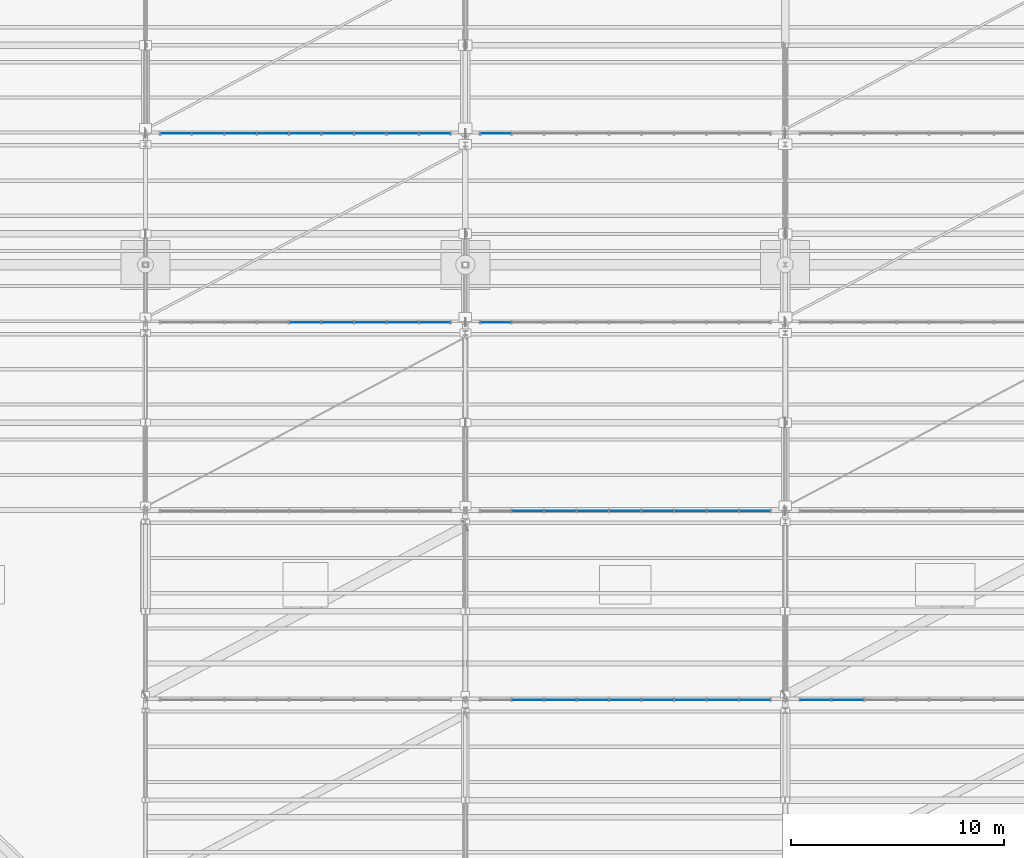
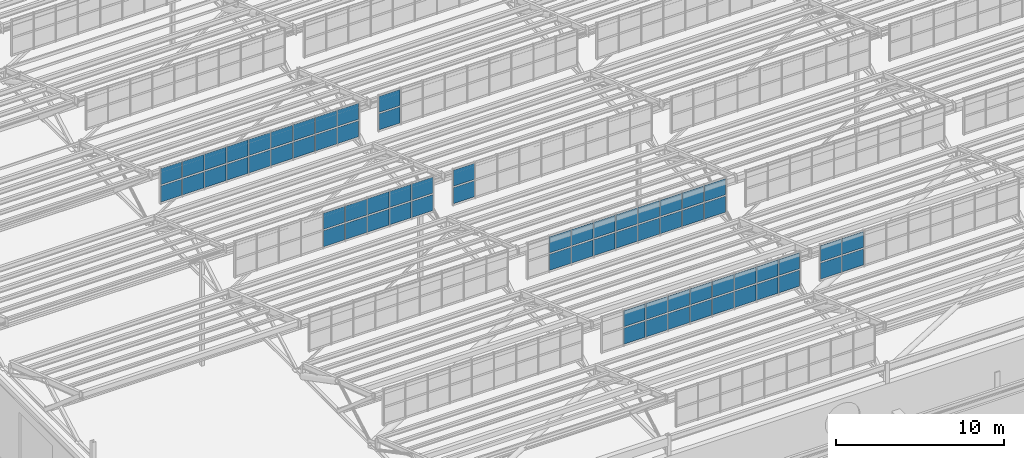
# One storey, part 165 of 285: 68 plates, 7 elements without a shape of their own.
"""IFC4 building model written with IfcOpenShell, lengths in metres."""

from ifc_helpers import new_model, si_unit, direction, frame, origin, origin_2d, place, context, subcontext, project, spatial, rectangle, extrude, material, layer, layer_set, type_object, element, aggregate, save


model = new_model("IFC4")

# Units and contexts
model_context = context("Model", 3, precision=1e-05, world=origin(), true_north=direction((0.0, 1.0)))
body_context = subcontext(model_context, "Body", "Model", "MODEL_VIEW")
ifc_project = project(units=[si_unit("LENGTHUNIT", "METRE"), si_unit("AREAUNIT", "SQUARE_METRE"), si_unit("VOLUMEUNIT", "CUBIC_METRE"), si_unit("PLANEANGLEUNIT", "RADIAN"), si_unit("MASSUNIT", "GRAM", prefix="KILO")], contexts=[model_context])

# Site, building, storey
site_placement = place(None, origin())
site = spatial("IfcSite", under=ifc_project, at=site_placement, CompositionType="ELEMENT")
building_placement = place(site_placement, origin())
building = spatial("IfcBuilding", under=site, at=building_placement, Name="Solanera Park Tramway Depot", CompositionType="ELEMENT")
storey_placement = place(building_placement, origin())
storey = spatial("IfcBuildingStorey", under=building, at=storey_placement, Name="L00", CompositionType="ELEMENT", Elevation=0.0)

# Curtain wall, plates
ifc_material_1 = material(Name="Bronze-anodised thermally broken aluminium curtain wall", Category="aluminium")
curtain_wall_type = type_object("IfcCurtainWallType", Name="Sawtooth Clerestory Monitor Curtain Wall", PredefinedType="NOTDEFINED", material=ifc_material_1)
curtain_wall_1_placement = place(storey_placement, origin())
curtain_wall_1 = element("IfcCurtainWall", 1, at=curtain_wall_1_placement, inside=storey, type_object=curtain_wall_type, Name="L00 Sawtooth Clerestory Monitor Curtain Wall #005", PredefinedType="NOTDEFINED")
ifc_material_2 = material(Name="Low-E laminated solar-control double glazing", Category="glass")
ifc_layer = layer(ifc_material_2, 0.028076171875)
ifc_layer_set = layer_set([ifc_layer], Name="Low-E laminated solar-control double glazing")
plate_type = type_object("IfcPlateType", Name="Curtain Wall Double Glazing Panel 28", PredefinedType="CURTAIN_PANEL", material=ifc_layer_set)
plate_1_placement = place(storey_placement, frame((32.933349609375, 64.60009765625, 7.862060546875), z_axis=(0.0, 0.0, 1.0), x_axis=(1.0, 0.0, 0.0)))
plate_1 = element("IfcPlate", 2, at=plate_1_placement, type_object=plate_type, Name="CW-L00-005 Glazing Panel R1.C2", PredefinedType="CURTAIN_PANEL", context=body_context, shape_type="SweptSolid", body=[
    extrude(rectangle(XDim=1.47021484375, YDim=0.028076171875, at=origin_2d()), origin(), (0.0, 0.0, 1.0), 1.16650390625),
])
plate_2_placement = place(storey_placement, frame((34.45556640625, 64.60009765625, 7.862060546875), z_axis=(0.0, 0.0, 1.0), x_axis=(1.0, 0.0, 0.0)))
plate_2 = element("IfcPlate", 3, at=plate_2_placement, type_object=plate_type, Name="CW-L00-005 Glazing Panel R1.C3", PredefinedType="CURTAIN_PANEL", context=body_context, shape_type="SweptSolid", body=[
    extrude(rectangle(XDim=1.47021484375, YDim=0.028076171875, at=origin_2d()), origin(), (0.0, 0.0, 1.0), 1.16650390625),
])
plate_3_placement = place(storey_placement, frame((35.977783203125, 64.60009765625, 7.862060546875), z_axis=(0.0, 0.0, 1.0), x_axis=(1.0, 0.0, 0.0)))
plate_3 = element("IfcPlate", 4, at=plate_3_placement, type_object=plate_type, Name="CW-L00-005 Glazing Panel R1.C4", PredefinedType="CURTAIN_PANEL", context=body_context, shape_type="SweptSolid", body=[
    extrude(rectangle(XDim=1.47021484375, YDim=0.028076171875, at=origin_2d()), origin(), (0.0, 0.0, 1.0), 1.16650390625),
])
plate_4_placement = place(storey_placement, frame((37.5, 64.60009765625, 7.862060546875), z_axis=(0.0, 0.0, 1.0), x_axis=(1.0, 0.0, 0.0)))
plate_4 = element("IfcPlate", 5, at=plate_4_placement, type_object=plate_type, Name="CW-L00-005 Glazing Panel R1.C5", PredefinedType="CURTAIN_PANEL", context=body_context, shape_type="SweptSolid", body=[
    extrude(rectangle(XDim=1.47021484375, YDim=0.028076171875, at=origin_2d()), origin(), (0.0, 0.0, 1.0), 1.16650390625),
])
plate_5_placement = place(storey_placement, frame((39.022216796875, 64.60009765625, 7.862060546875), z_axis=(0.0, 0.0, 1.0), x_axis=(1.0, 0.0, 0.0)))
plate_5 = element("IfcPlate", 6, at=plate_5_placement, type_object=plate_type, Name="CW-L00-005 Glazing Panel R1.C6", PredefinedType="CURTAIN_PANEL", context=body_context, shape_type="SweptSolid", body=[
    extrude(rectangle(XDim=1.47021484375, YDim=0.028076171875, at=origin_2d()), origin(), (0.0, 0.0, 1.0), 1.16650390625),
])
plate_6_placement = place(storey_placement, frame((40.54443359375, 64.60009765625, 7.862060546875), z_axis=(0.0, 0.0, 1.0), x_axis=(1.0, 0.0, 0.0)))
plate_6 = element("IfcPlate", 7, at=plate_6_placement, type_object=plate_type, Name="CW-L00-005 Glazing Panel R1.C7", PredefinedType="CURTAIN_PANEL", context=body_context, shape_type="SweptSolid", body=[
    extrude(rectangle(XDim=1.47021484375, YDim=0.028076171875, at=origin_2d()), origin(), (0.0, 0.0, 1.0), 1.16650390625),
])
plate_7_placement = place(storey_placement, frame((42.066650390625, 64.60009765625, 7.862060546875), z_axis=(0.0, 0.0, 1.0), x_axis=(1.0, 0.0, 0.0)))
plate_7 = element("IfcPlate", 8, at=plate_7_placement, type_object=plate_type, Name="CW-L00-005 Glazing Panel R1.C8", PredefinedType="CURTAIN_PANEL", context=body_context, shape_type="SweptSolid", body=[
    extrude(rectangle(XDim=1.47021484375, YDim=0.028076171875, at=origin_2d()), origin(), (0.0, 0.0, 1.0), 1.16650390625),
])
plate_8_placement = place(storey_placement, frame((43.572509765625, 64.60009765625, 7.862060546875), z_axis=(0.0, 0.0, 1.0), x_axis=(1.0, 0.0, 0.0)))
plate_8 = element("IfcPlate", 9, at=plate_8_placement, type_object=plate_type, Name="CW-L00-005 Glazing Panel R1.C9", PredefinedType="CURTAIN_PANEL", context=body_context, shape_type="SweptSolid", body=[
    extrude(rectangle(XDim=1.437744140625, YDim=0.028076171875, at=origin_2d()), origin(), (0.0, 0.0, 1.0), 1.16650390625),
])
plate_9_placement = place(storey_placement, frame((32.933349609375, 64.60009765625, 9.132568359375), z_axis=(0.0, 0.0, 1.0), x_axis=(1.0, 0.0, 0.0)))
plate_9 = element("IfcPlate", 10, at=plate_9_placement, type_object=plate_type, Name="CW-L00-005 Glazing Panel R2.C2", PredefinedType="CURTAIN_PANEL", context=body_context, shape_type="SweptSolid", body=[
    extrude(rectangle(XDim=1.47021484375, YDim=0.028076171875, at=origin_2d()), origin(), (0.0, 0.0, 1.0), 1.16650390625),
])
plate_10_placement = place(storey_placement, frame((34.45556640625, 64.60009765625, 9.132568359375), z_axis=(0.0, 0.0, 1.0), x_axis=(1.0, 0.0, 0.0)))
plate_10 = element("IfcPlate", 11, at=plate_10_placement, type_object=plate_type, Name="CW-L00-005 Glazing Panel R2.C3", PredefinedType="CURTAIN_PANEL", context=body_context, shape_type="SweptSolid", body=[
    extrude(rectangle(XDim=1.47021484375, YDim=0.028076171875, at=origin_2d()), origin(), (0.0, 0.0, 1.0), 1.16650390625),
])
plate_11_placement = place(storey_placement, frame((35.977783203125, 64.60009765625, 9.132568359375), z_axis=(0.0, 0.0, 1.0), x_axis=(1.0, 0.0, 0.0)))
plate_11 = element("IfcPlate", 12, at=plate_11_placement, type_object=plate_type, Name="CW-L00-005 Glazing Panel R2.C4", PredefinedType="CURTAIN_PANEL", context=body_context, shape_type="SweptSolid", body=[
    extrude(rectangle(XDim=1.47021484375, YDim=0.028076171875, at=origin_2d()), origin(), (0.0, 0.0, 1.0), 1.16650390625),
])
plate_12_placement = place(storey_placement, frame((37.5, 64.60009765625, 9.132568359375), z_axis=(0.0, 0.0, 1.0), x_axis=(1.0, 0.0, 0.0)))
plate_12 = element("IfcPlate", 13, at=plate_12_placement, type_object=plate_type, Name="CW-L00-005 Glazing Panel R2.C5", PredefinedType="CURTAIN_PANEL", context=body_context, shape_type="SweptSolid", body=[
    extrude(rectangle(XDim=1.47021484375, YDim=0.028076171875, at=origin_2d()), origin(), (0.0, 0.0, 1.0), 1.16650390625),
])
plate_13_placement = place(storey_placement, frame((39.022216796875, 64.60009765625, 9.132568359375), z_axis=(0.0, 0.0, 1.0), x_axis=(1.0, 0.0, 0.0)))
plate_13 = element("IfcPlate", 14, at=plate_13_placement, type_object=plate_type, Name="CW-L00-005 Glazing Panel R2.C6", PredefinedType="CURTAIN_PANEL", context=body_context, shape_type="SweptSolid", body=[
    extrude(rectangle(XDim=1.47021484375, YDim=0.028076171875, at=origin_2d()), origin(), (0.0, 0.0, 1.0), 1.16650390625),
])
plate_14_placement = place(storey_placement, frame((40.54443359375, 64.60009765625, 9.132568359375), z_axis=(0.0, 0.0, 1.0), x_axis=(1.0, 0.0, 0.0)))
plate_14 = element("IfcPlate", 15, at=plate_14_placement, type_object=plate_type, Name="CW-L00-005 Glazing Panel R2.C7", PredefinedType="CURTAIN_PANEL", context=body_context, shape_type="SweptSolid", body=[
    extrude(rectangle(XDim=1.47021484375, YDim=0.028076171875, at=origin_2d()), origin(), (0.0, 0.0, 1.0), 1.16650390625),
])
plate_15_placement = place(storey_placement, frame((42.066650390625, 64.60009765625, 9.132568359375), z_axis=(0.0, 0.0, 1.0), x_axis=(1.0, 0.0, 0.0)))
plate_15 = element("IfcPlate", 16, at=plate_15_placement, type_object=plate_type, Name="CW-L00-005 Glazing Panel R2.C8", PredefinedType="CURTAIN_PANEL", context=body_context, shape_type="SweptSolid", body=[
    extrude(rectangle(XDim=1.47021484375, YDim=0.028076171875, at=origin_2d()), origin(), (0.0, 0.0, 1.0), 1.16650390625),
])
plate_16_placement = place(storey_placement, frame((43.572509765625, 64.60009765625, 9.132568359375), z_axis=(0.0, 0.0, 1.0), x_axis=(1.0, 0.0, 0.0)))
plate_16 = element("IfcPlate", 17, at=plate_16_placement, type_object=plate_type, Name="CW-L00-005 Glazing Panel R2.C9", PredefinedType="CURTAIN_PANEL", context=body_context, shape_type="SweptSolid", body=[
    extrude(rectangle(XDim=1.437744140625, YDim=0.028076171875, at=origin_2d()), origin(), (0.0, 0.0, 1.0), 1.16650390625),
])
aggregate(curtain_wall_1, [plate_1, plate_2, plate_3, plate_4, plate_5, plate_6, plate_7, plate_8, plate_9, plate_10, plate_11, plate_12, plate_13, plate_14, plate_15, plate_16])

curtain_wall_2_placement = place(storey_placement, origin())
curtain_wall_2 = element("IfcCurtainWall", 18, at=curtain_wall_2_placement, inside=storey, type_object=curtain_wall_type, Name="L00 Sawtooth Clerestory Monitor Curtain Wall #006", PredefinedType="NOTDEFINED")
plate_17_placement = place(storey_placement, frame((46.427490234375, 64.60009765625, 7.862060546875), z_axis=(0.0, 0.0, 1.0), x_axis=(1.0, 0.0, 0.0)))
plate_17 = element("IfcPlate", 19, at=plate_17_placement, type_object=plate_type, Name="CW-L00-006 Glazing Panel R1.C1", PredefinedType="CURTAIN_PANEL", context=body_context, shape_type="SweptSolid", body=[
    extrude(rectangle(XDim=1.437744140625, YDim=0.028076171875, at=origin_2d()), origin(), (0.0, 0.0, 1.0), 1.16650390625),
])
plate_18_placement = place(storey_placement, frame((47.933349609375, 64.60009765625, 7.862060546875), z_axis=(0.0, 0.0, 1.0), x_axis=(1.0, 0.0, 0.0)))
plate_18 = element("IfcPlate", 20, at=plate_18_placement, type_object=plate_type, Name="CW-L00-006 Glazing Panel R1.C2", PredefinedType="CURTAIN_PANEL", context=body_context, shape_type="SweptSolid", body=[
    extrude(rectangle(XDim=1.47021484375, YDim=0.028076171875, at=origin_2d()), origin(), (0.0, 0.0, 1.0), 1.16650390625),
])
plate_19_placement = place(storey_placement, frame((46.427490234375, 64.60009765625, 9.132568359375), z_axis=(0.0, 0.0, 1.0), x_axis=(1.0, 0.0, 0.0)))
plate_19 = element("IfcPlate", 21, at=plate_19_placement, type_object=plate_type, Name="CW-L00-006 Glazing Panel R2.C1", PredefinedType="CURTAIN_PANEL", context=body_context, shape_type="SweptSolid", body=[
    extrude(rectangle(XDim=1.437744140625, YDim=0.028076171875, at=origin_2d()), origin(), (0.0, 0.0, 1.0), 1.16650390625),
])
plate_20_placement = place(storey_placement, frame((47.933349609375, 64.60009765625, 9.132568359375), z_axis=(0.0, 0.0, 1.0), x_axis=(1.0, 0.0, 0.0)))
plate_20 = element("IfcPlate", 22, at=plate_20_placement, type_object=plate_type, Name="CW-L00-006 Glazing Panel R2.C2", PredefinedType="CURTAIN_PANEL", context=body_context, shape_type="SweptSolid", body=[
    extrude(rectangle(XDim=1.47021484375, YDim=0.028076171875, at=origin_2d()), origin(), (0.0, 0.0, 1.0), 1.16650390625),
])
aggregate(curtain_wall_2, [plate_17, plate_18, plate_19, plate_20])

curtain_wall_3_placement = place(storey_placement, origin())
curtain_wall_3 = element("IfcCurtainWall", 23, at=curtain_wall_3_placement, inside=storey, type_object=curtain_wall_type, Name="L00 Sawtooth Clerestory Monitor Curtain Wall #013", PredefinedType="NOTDEFINED")
plate_21_placement = place(storey_placement, frame((32.933349609375, 73.449951171875, 7.862060546875), z_axis=(0.0, 0.0, 1.0), x_axis=(1.0, 0.0, 0.0)))
plate_21 = element("IfcPlate", 24, at=plate_21_placement, type_object=plate_type, Name="CW-L00-013 Glazing Panel R1.C2", PredefinedType="CURTAIN_PANEL", context=body_context, shape_type="SweptSolid", body=[
    extrude(rectangle(XDim=1.47021484375, YDim=0.028076171875, at=origin_2d()), origin(), (0.0, 0.0, 1.0), 1.16650390625),
])
plate_22_placement = place(storey_placement, frame((34.45556640625, 73.449951171875, 7.862060546875), z_axis=(0.0, 0.0, 1.0), x_axis=(1.0, 0.0, 0.0)))
plate_22 = element("IfcPlate", 25, at=plate_22_placement, type_object=plate_type, Name="CW-L00-013 Glazing Panel R1.C3", PredefinedType="CURTAIN_PANEL", context=body_context, shape_type="SweptSolid", body=[
    extrude(rectangle(XDim=1.47021484375, YDim=0.028076171875, at=origin_2d()), origin(), (0.0, 0.0, 1.0), 1.16650390625),
])
plate_23_placement = place(storey_placement, frame((35.977783203125, 73.449951171875, 7.862060546875), z_axis=(0.0, 0.0, 1.0), x_axis=(1.0, 0.0, 0.0)))
plate_23 = element("IfcPlate", 26, at=plate_23_placement, type_object=plate_type, Name="CW-L00-013 Glazing Panel R1.C4", PredefinedType="CURTAIN_PANEL", context=body_context, shape_type="SweptSolid", body=[
    extrude(rectangle(XDim=1.47021484375, YDim=0.028076171875, at=origin_2d()), origin(), (0.0, 0.0, 1.0), 1.16650390625),
])
plate_24_placement = place(storey_placement, frame((37.5, 73.449951171875, 7.862060546875), z_axis=(0.0, 0.0, 1.0), x_axis=(1.0, 0.0, 0.0)))
plate_24 = element("IfcPlate", 27, at=plate_24_placement, type_object=plate_type, Name="CW-L00-013 Glazing Panel R1.C5", PredefinedType="CURTAIN_PANEL", context=body_context, shape_type="SweptSolid", body=[
    extrude(rectangle(XDim=1.47021484375, YDim=0.028076171875, at=origin_2d()), origin(), (0.0, 0.0, 1.0), 1.16650390625),
])
plate_25_placement = place(storey_placement, frame((39.022216796875, 73.449951171875, 7.862060546875), z_axis=(0.0, 0.0, 1.0), x_axis=(1.0, 0.0, 0.0)))
plate_25 = element("IfcPlate", 28, at=plate_25_placement, type_object=plate_type, Name="CW-L00-013 Glazing Panel R1.C6", PredefinedType="CURTAIN_PANEL", context=body_context, shape_type="SweptSolid", body=[
    extrude(rectangle(XDim=1.47021484375, YDim=0.028076171875, at=origin_2d()), origin(), (0.0, 0.0, 1.0), 1.16650390625),
])
plate_26_placement = place(storey_placement, frame((40.54443359375, 73.449951171875, 7.862060546875), z_axis=(0.0, 0.0, 1.0), x_axis=(1.0, 0.0, 0.0)))
plate_26 = element("IfcPlate", 29, at=plate_26_placement, type_object=plate_type, Name="CW-L00-013 Glazing Panel R1.C7", PredefinedType="CURTAIN_PANEL", context=body_context, shape_type="SweptSolid", body=[
    extrude(rectangle(XDim=1.47021484375, YDim=0.028076171875, at=origin_2d()), origin(), (0.0, 0.0, 1.0), 1.16650390625),
])
plate_27_placement = place(storey_placement, frame((42.066650390625, 73.449951171875, 7.862060546875), z_axis=(0.0, 0.0, 1.0), x_axis=(1.0, 0.0, 0.0)))
plate_27 = element("IfcPlate", 30, at=plate_27_placement, type_object=plate_type, Name="CW-L00-013 Glazing Panel R1.C8", PredefinedType="CURTAIN_PANEL", context=body_context, shape_type="SweptSolid", body=[
    extrude(rectangle(XDim=1.47021484375, YDim=0.028076171875, at=origin_2d()), origin(), (0.0, 0.0, 1.0), 1.16650390625),
])
plate_28_placement = place(storey_placement, frame((43.572509765625, 73.449951171875, 7.862060546875), z_axis=(0.0, 0.0, 1.0), x_axis=(1.0, 0.0, 0.0)))
plate_28 = element("IfcPlate", 31, at=plate_28_placement, type_object=plate_type, Name="CW-L00-013 Glazing Panel R1.C9", PredefinedType="CURTAIN_PANEL", context=body_context, shape_type="SweptSolid", body=[
    extrude(rectangle(XDim=1.437744140625, YDim=0.028076171875, at=origin_2d()), origin(), (0.0, 0.0, 1.0), 1.16650390625),
])
plate_29_placement = place(storey_placement, frame((32.933349609375, 73.449951171875, 9.132568359375), z_axis=(0.0, 0.0, 1.0), x_axis=(1.0, 0.0, 0.0)))
plate_29 = element("IfcPlate", 32, at=plate_29_placement, type_object=plate_type, Name="CW-L00-013 Glazing Panel R2.C2", PredefinedType="CURTAIN_PANEL", context=body_context, shape_type="SweptSolid", body=[
    extrude(rectangle(XDim=1.47021484375, YDim=0.028076171875, at=origin_2d()), origin(), (0.0, 0.0, 1.0), 1.16650390625),
])
plate_30_placement = place(storey_placement, frame((34.45556640625, 73.449951171875, 9.132568359375), z_axis=(0.0, 0.0, 1.0), x_axis=(1.0, 0.0, 0.0)))
plate_30 = element("IfcPlate", 33, at=plate_30_placement, type_object=plate_type, Name="CW-L00-013 Glazing Panel R2.C3", PredefinedType="CURTAIN_PANEL", context=body_context, shape_type="SweptSolid", body=[
    extrude(rectangle(XDim=1.47021484375, YDim=0.028076171875, at=origin_2d()), origin(), (0.0, 0.0, 1.0), 1.16650390625),
])
plate_31_placement = place(storey_placement, frame((35.977783203125, 73.449951171875, 9.132568359375), z_axis=(0.0, 0.0, 1.0), x_axis=(1.0, 0.0, 0.0)))
plate_31 = element("IfcPlate", 34, at=plate_31_placement, type_object=plate_type, Name="CW-L00-013 Glazing Panel R2.C4", PredefinedType="CURTAIN_PANEL", context=body_context, shape_type="SweptSolid", body=[
    extrude(rectangle(XDim=1.47021484375, YDim=0.028076171875, at=origin_2d()), origin(), (0.0, 0.0, 1.0), 1.16650390625),
])
plate_32_placement = place(storey_placement, frame((37.5, 73.449951171875, 9.132568359375), z_axis=(0.0, 0.0, 1.0), x_axis=(1.0, 0.0, 0.0)))
plate_32 = element("IfcPlate", 35, at=plate_32_placement, type_object=plate_type, Name="CW-L00-013 Glazing Panel R2.C5", PredefinedType="CURTAIN_PANEL", context=body_context, shape_type="SweptSolid", body=[
    extrude(rectangle(XDim=1.47021484375, YDim=0.028076171875, at=origin_2d()), origin(), (0.0, 0.0, 1.0), 1.16650390625),
])
plate_33_placement = place(storey_placement, frame((39.022216796875, 73.449951171875, 9.132568359375), z_axis=(0.0, 0.0, 1.0), x_axis=(1.0, 0.0, 0.0)))
plate_33 = element("IfcPlate", 36, at=plate_33_placement, type_object=plate_type, Name="CW-L00-013 Glazing Panel R2.C6", PredefinedType="CURTAIN_PANEL", context=body_context, shape_type="SweptSolid", body=[
    extrude(rectangle(XDim=1.47021484375, YDim=0.028076171875, at=origin_2d()), origin(), (0.0, 0.0, 1.0), 1.16650390625),
])
plate_34_placement = place(storey_placement, frame((40.54443359375, 73.449951171875, 9.132568359375), z_axis=(0.0, 0.0, 1.0), x_axis=(1.0, 0.0, 0.0)))
plate_34 = element("IfcPlate", 37, at=plate_34_placement, type_object=plate_type, Name="CW-L00-013 Glazing Panel R2.C7", PredefinedType="CURTAIN_PANEL", context=body_context, shape_type="SweptSolid", body=[
    extrude(rectangle(XDim=1.47021484375, YDim=0.028076171875, at=origin_2d()), origin(), (0.0, 0.0, 1.0), 1.16650390625),
])
plate_35_placement = place(storey_placement, frame((42.066650390625, 73.449951171875, 9.132568359375), z_axis=(0.0, 0.0, 1.0), x_axis=(1.0, 0.0, 0.0)))
plate_35 = element("IfcPlate", 38, at=plate_35_placement, type_object=plate_type, Name="CW-L00-013 Glazing Panel R2.C8", PredefinedType="CURTAIN_PANEL", context=body_context, shape_type="SweptSolid", body=[
    extrude(rectangle(XDim=1.47021484375, YDim=0.028076171875, at=origin_2d()), origin(), (0.0, 0.0, 1.0), 1.16650390625),
])
plate_36_placement = place(storey_placement, frame((43.572509765625, 73.449951171875, 9.132568359375), z_axis=(0.0, 0.0, 1.0), x_axis=(1.0, 0.0, 0.0)))
plate_36 = element("IfcPlate", 39, at=plate_36_placement, type_object=plate_type, Name="CW-L00-013 Glazing Panel R2.C9", PredefinedType="CURTAIN_PANEL", context=body_context, shape_type="SweptSolid", body=[
    extrude(rectangle(XDim=1.437744140625, YDim=0.028076171875, at=origin_2d()), origin(), (0.0, 0.0, 1.0), 1.16650390625),
])
aggregate(curtain_wall_3, [plate_21, plate_22, plate_23, plate_24, plate_25, plate_26, plate_27, plate_28, plate_29, plate_30, plate_31, plate_32, plate_33, plate_34, plate_35, plate_36])

curtain_wall_4_placement = place(storey_placement, origin())
curtain_wall_4 = element("IfcCurtainWall", 40, at=curtain_wall_4_placement, inside=storey, type_object=curtain_wall_type, Name="L00 Sawtooth Clerestory Monitor Curtain Wall #020", PredefinedType="NOTDEFINED")
plate_37_placement = place(storey_placement, frame((22.5, 82.300048828125, 7.862060546875), z_axis=(0.0, 0.0, 1.0), x_axis=(1.0, 0.0, 0.0)))
plate_37 = element("IfcPlate", 41, at=plate_37_placement, type_object=plate_type, Name="CW-L00-020 Glazing Panel R1.C5", PredefinedType="CURTAIN_PANEL", context=body_context, shape_type="SweptSolid", body=[
    extrude(rectangle(XDim=1.47021484375, YDim=0.028076171875, at=origin_2d()), origin(), (0.0, 0.0, 1.0), 1.16650390625),
])
plate_38_placement = place(storey_placement, frame((24.022216796875, 82.300048828125, 7.862060546875), z_axis=(0.0, 0.0, 1.0), x_axis=(1.0, 0.0, 0.0)))
plate_38 = element("IfcPlate", 42, at=plate_38_placement, type_object=plate_type, Name="CW-L00-020 Glazing Panel R1.C6", PredefinedType="CURTAIN_PANEL", context=body_context, shape_type="SweptSolid", body=[
    extrude(rectangle(XDim=1.47021484375, YDim=0.028076171875, at=origin_2d()), origin(), (0.0, 0.0, 1.0), 1.16650390625),
])
plate_39_placement = place(storey_placement, frame((25.54443359375, 82.300048828125, 7.862060546875), z_axis=(0.0, 0.0, 1.0), x_axis=(1.0, 0.0, 0.0)))
plate_39 = element("IfcPlate", 43, at=plate_39_placement, type_object=plate_type, Name="CW-L00-020 Glazing Panel R1.C7", PredefinedType="CURTAIN_PANEL", context=body_context, shape_type="SweptSolid", body=[
    extrude(rectangle(XDim=1.47021484375, YDim=0.028076171875, at=origin_2d()), origin(), (0.0, 0.0, 1.0), 1.16650390625),
])
plate_40_placement = place(storey_placement, frame((27.066650390625, 82.300048828125, 7.862060546875), z_axis=(0.0, 0.0, 1.0), x_axis=(1.0, 0.0, 0.0)))
plate_40 = element("IfcPlate", 44, at=plate_40_placement, type_object=plate_type, Name="CW-L00-020 Glazing Panel R1.C8", PredefinedType="CURTAIN_PANEL", context=body_context, shape_type="SweptSolid", body=[
    extrude(rectangle(XDim=1.47021484375, YDim=0.028076171875, at=origin_2d()), origin(), (0.0, 0.0, 1.0), 1.16650390625),
])
plate_41_placement = place(storey_placement, frame((28.572509765625, 82.300048828125, 7.862060546875), z_axis=(0.0, 0.0, 1.0), x_axis=(1.0, 0.0, 0.0)))
plate_41 = element("IfcPlate", 45, at=plate_41_placement, type_object=plate_type, Name="CW-L00-020 Glazing Panel R1.C9", PredefinedType="CURTAIN_PANEL", context=body_context, shape_type="SweptSolid", body=[
    extrude(rectangle(XDim=1.437744140625, YDim=0.028076171875, at=origin_2d()), origin(), (0.0, 0.0, 1.0), 1.16650390625),
])
plate_42_placement = place(storey_placement, frame((22.5, 82.300048828125, 9.132568359375), z_axis=(0.0, 0.0, 1.0), x_axis=(1.0, 0.0, 0.0)))
plate_42 = element("IfcPlate", 46, at=plate_42_placement, type_object=plate_type, Name="CW-L00-020 Glazing Panel R2.C5", PredefinedType="CURTAIN_PANEL", context=body_context, shape_type="SweptSolid", body=[
    extrude(rectangle(XDim=1.47021484375, YDim=0.028076171875, at=origin_2d()), origin(), (0.0, 0.0, 1.0), 1.16650390625),
])
plate_43_placement = place(storey_placement, frame((24.022216796875, 82.300048828125, 9.132568359375), z_axis=(0.0, 0.0, 1.0), x_axis=(1.0, 0.0, 0.0)))
plate_43 = element("IfcPlate", 47, at=plate_43_placement, type_object=plate_type, Name="CW-L00-020 Glazing Panel R2.C6", PredefinedType="CURTAIN_PANEL", context=body_context, shape_type="SweptSolid", body=[
    extrude(rectangle(XDim=1.47021484375, YDim=0.028076171875, at=origin_2d()), origin(), (0.0, 0.0, 1.0), 1.16650390625),
])
plate_44_placement = place(storey_placement, frame((25.54443359375, 82.300048828125, 9.132568359375), z_axis=(0.0, 0.0, 1.0), x_axis=(1.0, 0.0, 0.0)))
plate_44 = element("IfcPlate", 48, at=plate_44_placement, type_object=plate_type, Name="CW-L00-020 Glazing Panel R2.C7", PredefinedType="CURTAIN_PANEL", context=body_context, shape_type="SweptSolid", body=[
    extrude(rectangle(XDim=1.47021484375, YDim=0.028076171875, at=origin_2d()), origin(), (0.0, 0.0, 1.0), 1.16650390625),
])
plate_45_placement = place(storey_placement, frame((27.066650390625, 82.300048828125, 9.132568359375), z_axis=(0.0, 0.0, 1.0), x_axis=(1.0, 0.0, 0.0)))
plate_45 = element("IfcPlate", 49, at=plate_45_placement, type_object=plate_type, Name="CW-L00-020 Glazing Panel R2.C8", PredefinedType="CURTAIN_PANEL", context=body_context, shape_type="SweptSolid", body=[
    extrude(rectangle(XDim=1.47021484375, YDim=0.028076171875, at=origin_2d()), origin(), (0.0, 0.0, 1.0), 1.16650390625),
])
plate_46_placement = place(storey_placement, frame((28.572509765625, 82.300048828125, 9.132568359375), z_axis=(0.0, 0.0, 1.0), x_axis=(1.0, 0.0, 0.0)))
plate_46 = element("IfcPlate", 50, at=plate_46_placement, type_object=plate_type, Name="CW-L00-020 Glazing Panel R2.C9", PredefinedType="CURTAIN_PANEL", context=body_context, shape_type="SweptSolid", body=[
    extrude(rectangle(XDim=1.437744140625, YDim=0.028076171875, at=origin_2d()), origin(), (0.0, 0.0, 1.0), 1.16650390625),
])
aggregate(curtain_wall_4, [plate_37, plate_38, plate_39, plate_40, plate_41, plate_42, plate_43, plate_44, plate_45, plate_46])

curtain_wall_5_placement = place(storey_placement, origin())
curtain_wall_5 = element("IfcCurtainWall", 51, at=curtain_wall_5_placement, inside=storey, type_object=curtain_wall_type, Name="L00 Sawtooth Clerestory Monitor Curtain Wall #021", PredefinedType="NOTDEFINED")
plate_47_placement = place(storey_placement, frame((31.427490234375, 82.300048828125, 7.862060546875), z_axis=(0.0, 0.0, 1.0), x_axis=(1.0, 0.0, 0.0)))
plate_47 = element("IfcPlate", 52, at=plate_47_placement, type_object=plate_type, Name="CW-L00-021 Glazing Panel R1.C1", PredefinedType="CURTAIN_PANEL", context=body_context, shape_type="SweptSolid", body=[
    extrude(rectangle(XDim=1.437744140625, YDim=0.028076171875, at=origin_2d()), origin(), (0.0, 0.0, 1.0), 1.16650390625),
])
plate_48_placement = place(storey_placement, frame((31.427490234375, 82.300048828125, 9.132568359375), z_axis=(0.0, 0.0, 1.0), x_axis=(1.0, 0.0, 0.0)))
plate_48 = element("IfcPlate", 53, at=plate_48_placement, type_object=plate_type, Name="CW-L00-021 Glazing Panel R2.C1", PredefinedType="CURTAIN_PANEL", context=body_context, shape_type="SweptSolid", body=[
    extrude(rectangle(XDim=1.437744140625, YDim=0.028076171875, at=origin_2d()), origin(), (0.0, 0.0, 1.0), 1.16650390625),
])
aggregate(curtain_wall_5, [plate_47, plate_48])

curtain_wall_6_placement = place(storey_placement, origin())
curtain_wall_6 = element("IfcCurtainWall", 54, at=curtain_wall_6_placement, inside=storey, type_object=curtain_wall_type, Name="L00 Sawtooth Clerestory Monitor Curtain Wall #028", PredefinedType="NOTDEFINED")
plate_49_placement = place(storey_placement, frame((16.427490234375, 91.14990234375, 7.862060546875), z_axis=(0.0, 0.0, 1.0), x_axis=(1.0, 0.0, 0.0)))
plate_49 = element("IfcPlate", 55, at=plate_49_placement, type_object=plate_type, Name="CW-L00-028 Glazing Panel R1.C1", PredefinedType="CURTAIN_PANEL", context=body_context, shape_type="SweptSolid", body=[
    extrude(rectangle(XDim=1.437744140625, YDim=0.028076171875, at=origin_2d()), origin(), (0.0, 0.0, 1.0), 1.16650390625),
])
plate_50_placement = place(storey_placement, frame((17.933349609375, 91.14990234375, 7.862060546875), z_axis=(0.0, 0.0, 1.0), x_axis=(1.0, 0.0, 0.0)))
plate_50 = element("IfcPlate", 56, at=plate_50_placement, type_object=plate_type, Name="CW-L00-028 Glazing Panel R1.C2", PredefinedType="CURTAIN_PANEL", context=body_context, shape_type="SweptSolid", body=[
    extrude(rectangle(XDim=1.47021484375, YDim=0.028076171875, at=origin_2d()), origin(), (0.0, 0.0, 1.0), 1.16650390625),
])
plate_51_placement = place(storey_placement, frame((19.45556640625, 91.14990234375, 7.862060546875), z_axis=(0.0, 0.0, 1.0), x_axis=(1.0, 0.0, 0.0)))
plate_51 = element("IfcPlate", 57, at=plate_51_placement, type_object=plate_type, Name="CW-L00-028 Glazing Panel R1.C3", PredefinedType="CURTAIN_PANEL", context=body_context, shape_type="SweptSolid", body=[
    extrude(rectangle(XDim=1.47021484375, YDim=0.028076171875, at=origin_2d()), origin(), (0.0, 0.0, 1.0), 1.16650390625),
])
plate_52_placement = place(storey_placement, frame((20.977783203125, 91.14990234375, 7.862060546875), z_axis=(0.0, 0.0, 1.0), x_axis=(1.0, 0.0, 0.0)))
plate_52 = element("IfcPlate", 58, at=plate_52_placement, type_object=plate_type, Name="CW-L00-028 Glazing Panel R1.C4", PredefinedType="CURTAIN_PANEL", context=body_context, shape_type="SweptSolid", body=[
    extrude(rectangle(XDim=1.47021484375, YDim=0.028076171875, at=origin_2d()), origin(), (0.0, 0.0, 1.0), 1.16650390625),
])
plate_53_placement = place(storey_placement, frame((22.5, 91.14990234375, 7.862060546875), z_axis=(0.0, 0.0, 1.0), x_axis=(1.0, 0.0, 0.0)))
plate_53 = element("IfcPlate", 59, at=plate_53_placement, type_object=plate_type, Name="CW-L00-028 Glazing Panel R1.C5", PredefinedType="CURTAIN_PANEL", context=body_context, shape_type="SweptSolid", body=[
    extrude(rectangle(XDim=1.47021484375, YDim=0.028076171875, at=origin_2d()), origin(), (0.0, 0.0, 1.0), 1.16650390625),
])
plate_54_placement = place(storey_placement, frame((24.022216796875, 91.14990234375, 7.862060546875), z_axis=(0.0, 0.0, 1.0), x_axis=(1.0, 0.0, 0.0)))
plate_54 = element("IfcPlate", 60, at=plate_54_placement, type_object=plate_type, Name="CW-L00-028 Glazing Panel R1.C6", PredefinedType="CURTAIN_PANEL", context=body_context, shape_type="SweptSolid", body=[
    extrude(rectangle(XDim=1.47021484375, YDim=0.028076171875, at=origin_2d()), origin(), (0.0, 0.0, 1.0), 1.16650390625),
])
plate_55_placement = place(storey_placement, frame((25.54443359375, 91.14990234375, 7.862060546875), z_axis=(0.0, 0.0, 1.0), x_axis=(1.0, 0.0, 0.0)))
plate_55 = element("IfcPlate", 61, at=plate_55_placement, type_object=plate_type, Name="CW-L00-028 Glazing Panel R1.C7", PredefinedType="CURTAIN_PANEL", context=body_context, shape_type="SweptSolid", body=[
    extrude(rectangle(XDim=1.47021484375, YDim=0.028076171875, at=origin_2d()), origin(), (0.0, 0.0, 1.0), 1.16650390625),
])
plate_56_placement = place(storey_placement, frame((27.066650390625, 91.14990234375, 7.862060546875), z_axis=(0.0, 0.0, 1.0), x_axis=(1.0, 0.0, 0.0)))
plate_56 = element("IfcPlate", 62, at=plate_56_placement, type_object=plate_type, Name="CW-L00-028 Glazing Panel R1.C8", PredefinedType="CURTAIN_PANEL", context=body_context, shape_type="SweptSolid", body=[
    extrude(rectangle(XDim=1.47021484375, YDim=0.028076171875, at=origin_2d()), origin(), (0.0, 0.0, 1.0), 1.16650390625),
])
plate_57_placement = place(storey_placement, frame((28.572509765625, 91.14990234375, 7.862060546875), z_axis=(0.0, 0.0, 1.0), x_axis=(1.0, 0.0, 0.0)))
plate_57 = element("IfcPlate", 63, at=plate_57_placement, type_object=plate_type, Name="CW-L00-028 Glazing Panel R1.C9", PredefinedType="CURTAIN_PANEL", context=body_context, shape_type="SweptSolid", body=[
    extrude(rectangle(XDim=1.437744140625, YDim=0.028076171875, at=origin_2d()), origin(), (0.0, 0.0, 1.0), 1.16650390625),
])
plate_58_placement = place(storey_placement, frame((16.427490234375, 91.14990234375, 9.132568359375), z_axis=(0.0, 0.0, 1.0), x_axis=(1.0, 0.0, 0.0)))
plate_58 = element("IfcPlate", 64, at=plate_58_placement, type_object=plate_type, Name="CW-L00-028 Glazing Panel R2.C1", PredefinedType="CURTAIN_PANEL", context=body_context, shape_type="SweptSolid", body=[
    extrude(rectangle(XDim=1.437744140625, YDim=0.028076171875, at=origin_2d()), origin(), (0.0, 0.0, 1.0), 1.16650390625),
])
plate_59_placement = place(storey_placement, frame((17.933349609375, 91.14990234375, 9.132568359375), z_axis=(0.0, 0.0, 1.0), x_axis=(1.0, 0.0, 0.0)))
plate_59 = element("IfcPlate", 65, at=plate_59_placement, type_object=plate_type, Name="CW-L00-028 Glazing Panel R2.C2", PredefinedType="CURTAIN_PANEL", context=body_context, shape_type="SweptSolid", body=[
    extrude(rectangle(XDim=1.47021484375, YDim=0.028076171875, at=origin_2d()), origin(), (0.0, 0.0, 1.0), 1.16650390625),
])
plate_60_placement = place(storey_placement, frame((19.45556640625, 91.14990234375, 9.132568359375), z_axis=(0.0, 0.0, 1.0), x_axis=(1.0, 0.0, 0.0)))
plate_60 = element("IfcPlate", 66, at=plate_60_placement, type_object=plate_type, Name="CW-L00-028 Glazing Panel R2.C3", PredefinedType="CURTAIN_PANEL", context=body_context, shape_type="SweptSolid", body=[
    extrude(rectangle(XDim=1.47021484375, YDim=0.028076171875, at=origin_2d()), origin(), (0.0, 0.0, 1.0), 1.16650390625),
])
plate_61_placement = place(storey_placement, frame((20.977783203125, 91.14990234375, 9.132568359375), z_axis=(0.0, 0.0, 1.0), x_axis=(1.0, 0.0, 0.0)))
plate_61 = element("IfcPlate", 67, at=plate_61_placement, type_object=plate_type, Name="CW-L00-028 Glazing Panel R2.C4", PredefinedType="CURTAIN_PANEL", context=body_context, shape_type="SweptSolid", body=[
    extrude(rectangle(XDim=1.47021484375, YDim=0.028076171875, at=origin_2d()), origin(), (0.0, 0.0, 1.0), 1.16650390625),
])
plate_62_placement = place(storey_placement, frame((22.5, 91.14990234375, 9.132568359375), z_axis=(0.0, 0.0, 1.0), x_axis=(1.0, 0.0, 0.0)))
plate_62 = element("IfcPlate", 68, at=plate_62_placement, type_object=plate_type, Name="CW-L00-028 Glazing Panel R2.C5", PredefinedType="CURTAIN_PANEL", context=body_context, shape_type="SweptSolid", body=[
    extrude(rectangle(XDim=1.47021484375, YDim=0.028076171875, at=origin_2d()), origin(), (0.0, 0.0, 1.0), 1.16650390625),
])
plate_63_placement = place(storey_placement, frame((24.022216796875, 91.14990234375, 9.132568359375), z_axis=(0.0, 0.0, 1.0), x_axis=(1.0, 0.0, 0.0)))
plate_63 = element("IfcPlate", 69, at=plate_63_placement, type_object=plate_type, Name="CW-L00-028 Glazing Panel R2.C6", PredefinedType="CURTAIN_PANEL", context=body_context, shape_type="SweptSolid", body=[
    extrude(rectangle(XDim=1.47021484375, YDim=0.028076171875, at=origin_2d()), origin(), (0.0, 0.0, 1.0), 1.16650390625),
])
plate_64_placement = place(storey_placement, frame((25.54443359375, 91.14990234375, 9.132568359375), z_axis=(0.0, 0.0, 1.0), x_axis=(1.0, 0.0, 0.0)))
plate_64 = element("IfcPlate", 70, at=plate_64_placement, type_object=plate_type, Name="CW-L00-028 Glazing Panel R2.C7", PredefinedType="CURTAIN_PANEL", context=body_context, shape_type="SweptSolid", body=[
    extrude(rectangle(XDim=1.47021484375, YDim=0.028076171875, at=origin_2d()), origin(), (0.0, 0.0, 1.0), 1.16650390625),
])
plate_65_placement = place(storey_placement, frame((27.066650390625, 91.14990234375, 9.132568359375), z_axis=(0.0, 0.0, 1.0), x_axis=(1.0, 0.0, 0.0)))
plate_65 = element("IfcPlate", 71, at=plate_65_placement, type_object=plate_type, Name="CW-L00-028 Glazing Panel R2.C8", PredefinedType="CURTAIN_PANEL", context=body_context, shape_type="SweptSolid", body=[
    extrude(rectangle(XDim=1.47021484375, YDim=0.028076171875, at=origin_2d()), origin(), (0.0, 0.0, 1.0), 1.16650390625),
])
plate_66_placement = place(storey_placement, frame((28.572509765625, 91.14990234375, 9.132568359375), z_axis=(0.0, 0.0, 1.0), x_axis=(1.0, 0.0, 0.0)))
plate_66 = element("IfcPlate", 72, at=plate_66_placement, type_object=plate_type, Name="CW-L00-028 Glazing Panel R2.C9", PredefinedType="CURTAIN_PANEL", context=body_context, shape_type="SweptSolid", body=[
    extrude(rectangle(XDim=1.437744140625, YDim=0.028076171875, at=origin_2d()), origin(), (0.0, 0.0, 1.0), 1.16650390625),
])
aggregate(curtain_wall_6, [plate_49, plate_50, plate_51, plate_52, plate_53, plate_54, plate_55, plate_56, plate_57, plate_58, plate_59, plate_60, plate_61, plate_62, plate_63, plate_64, plate_65, plate_66])

curtain_wall_7_placement = place(storey_placement, origin())
curtain_wall_7 = element("IfcCurtainWall", 73, at=curtain_wall_7_placement, inside=storey, type_object=curtain_wall_type, Name="L00 Sawtooth Clerestory Monitor Curtain Wall #029", PredefinedType="NOTDEFINED")
plate_67_placement = place(storey_placement, frame((31.427490234375, 91.14990234375, 7.862060546875), z_axis=(0.0, 0.0, 1.0), x_axis=(1.0, 0.0, 0.0)))
plate_67 = element("IfcPlate", 74, at=plate_67_placement, type_object=plate_type, Name="CW-L00-029 Glazing Panel R1.C1", PredefinedType="CURTAIN_PANEL", context=body_context, shape_type="SweptSolid", body=[
    extrude(rectangle(XDim=1.437744140625, YDim=0.028076171875, at=origin_2d()), origin(), (0.0, 0.0, 1.0), 1.16650390625),
])
plate_68_placement = place(storey_placement, frame((31.427490234375, 91.14990234375, 9.132568359375), z_axis=(0.0, 0.0, 1.0), x_axis=(1.0, 0.0, 0.0)))
plate_68 = element("IfcPlate", 75, at=plate_68_placement, type_object=plate_type, Name="CW-L00-029 Glazing Panel R2.C1", PredefinedType="CURTAIN_PANEL", context=body_context, shape_type="SweptSolid", body=[
    extrude(rectangle(XDim=1.437744140625, YDim=0.028076171875, at=origin_2d()), origin(), (0.0, 0.0, 1.0), 1.16650390625),
])
aggregate(curtain_wall_7, [plate_67, plate_68])

save(model, "model.ifc")
